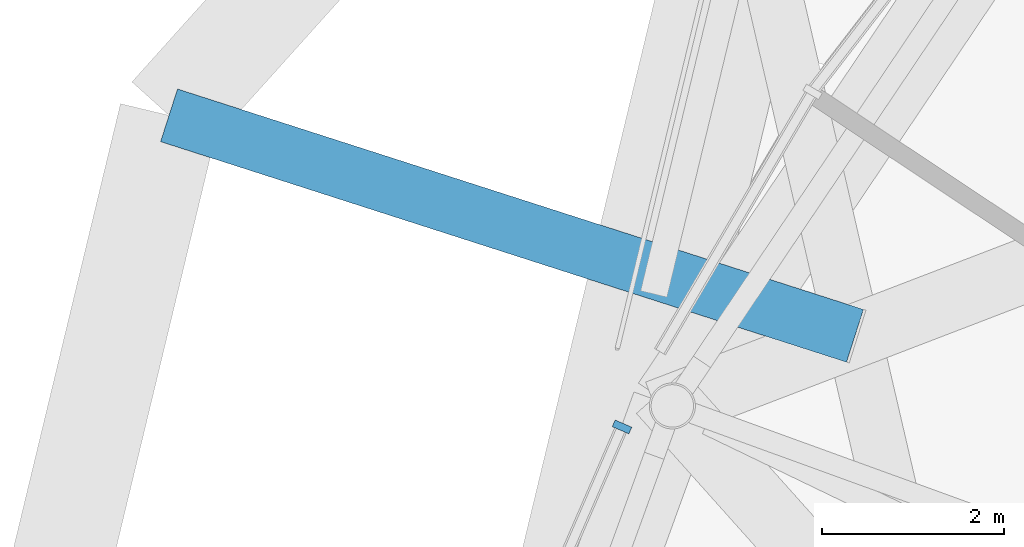
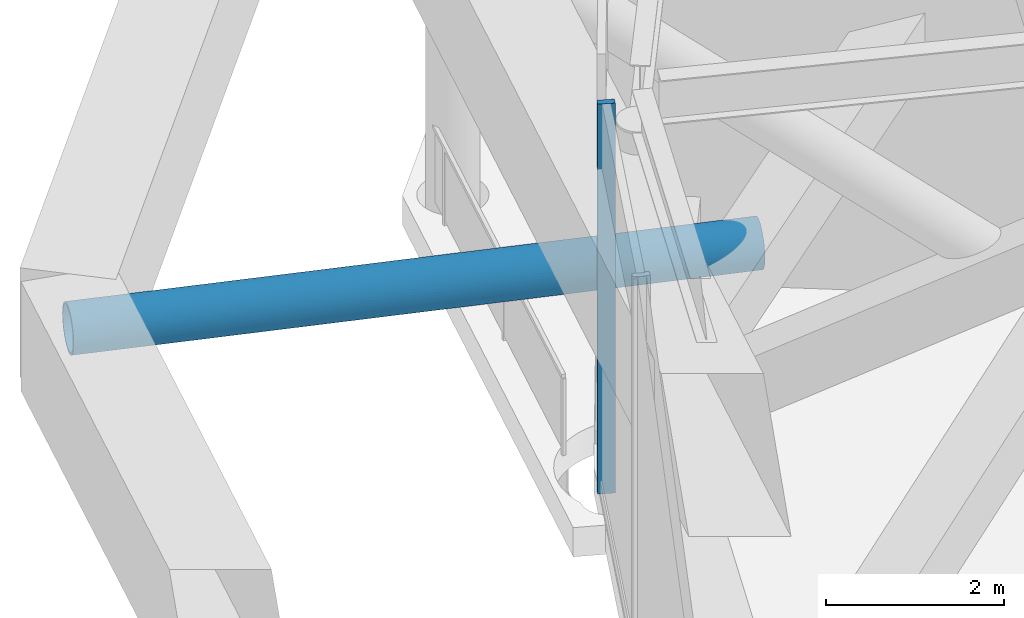
# One storey, part 27 of 49: 2 members, 1 element without a shape of its own.
"""IFC4 building model written with IfcOpenShell, lengths in metres."""

from ifc_helpers import new_model, si_unit, direction, frame, origin, origin_2d, place, context, subcontext, project, spatial, rectangle, hollow_circle, extrude, material, layer, layer_set, material_profile, profile_set, type_object, element, aggregate, save


model = new_model("IFC4")

# Units and contexts
model_context = context("Model", 3, precision=1e-05, world=origin(), true_north=direction((0.0, 1.0)))
body_context = subcontext(model_context, "Body", "Model", "MODEL_VIEW")
ifc_project = project(units=[si_unit("LENGTHUNIT", "METRE"), si_unit("AREAUNIT", "SQUARE_METRE"), si_unit("VOLUMEUNIT", "CUBIC_METRE"), si_unit("PLANEANGLEUNIT", "RADIAN"), si_unit("MASSUNIT", "GRAM", prefix="KILO")], contexts=[model_context])

# Site, building, storey
site_placement = place(None, origin())
site = spatial("IfcSite", under=ifc_project, at=site_placement, CompositionType="ELEMENT")
building_placement = place(site_placement, origin())
building = spatial("IfcBuilding", under=site, at=building_placement, Name="Nagisa Residences", CompositionType="ELEMENT")
storey_placement = place(building_placement, frame((0.0, 0.0, 160.300048828125)))
storey = spatial("IfcBuildingStorey", under=building, at=storey_placement, Name="L40", CompositionType="ELEMENT", Elevation=160.300048828125)

# Curtain wall, member
ifc_material_1 = material(Name="Aluminium curtain wall system", Category="aluminium")
ifc_layer = layer(ifc_material_1, 0.159912109375)
ifc_layer_set = layer_set([ifc_layer], Name="CW2 CURTAIN WALL")
curtain_wall_type = type_object("IfcCurtainWallType", Name="CW2 CURTAIN WALL", PredefinedType="NOTDEFINED", material=ifc_layer_set)
curtain_wall_placement = place(storey_placement, origin())
curtain_wall = element("IfcCurtainWall", 1, at=curtain_wall_placement, inside=storey, type_object=curtain_wall_type, Name="cw:CW2:L40:20", PredefinedType="NOTDEFINED")
ifc_material_2 = material(Name="Aluminium", Category="aluminium")
ifc_material_profile_1 = material_profile(ifc_material_2, rectangle(XDim=0.199951171875, YDim=0.080078125, at=origin_2d()), Name="CW2 MULLION 200x80")
ifc_profile_set_1 = profile_set([ifc_material_profile_1], Name="Aluminium")
member_type_1 = type_object("IfcMemberType", Name="CW2 MULLION 200x80", PredefinedType="MULLION", material=ifc_profile_set_1)
member_1_placement = place(storey_placement, frame((-24.9013671875, 11.498291015625, 0.0), z_axis=(0.0, 0.0, 1.0), x_axis=(0.917543276295, -0.397635934147, 0.0)))
member_1 = element("IfcMember", 2, at=member_1_placement, type_object=member_type_1, Name="CW2 mullion", PredefinedType="MULLION", context=body_context, shape_type="SweptSolid", body=[
    extrude(rectangle(XDim=0.199951171875, YDim=0.080078125, at=origin_2d()), origin(), (0.0, 0.0, 1.0), 5.33984375),
])
aggregate(curtain_wall, [member_1])

# Member
ifc_material_3 = material(Name="Steel ASTM A572 Gr 65", Category="steel")
ifc_material_profile_2 = material_profile(ifc_material_3, hollow_circle(Radius=0.304931640625, WallThickness=0.02490234375, at=origin_2d()), Name="CHS 610x25")
ifc_profile_set_2 = profile_set([ifc_material_profile_2], Name="Steel ASTM A572 Gr 65")
member_type_2 = type_object("IfcMemberType", Name="Cage strut CHS 610x25", PredefinedType="STRUT", material=ifc_profile_set_2)
member_2_placement = place(storey_placement, frame((-29.8896484375, 14.9296875, 1.89990234375), z_axis=(0.952019596708, -0.306037068806, 0.0), x_axis=(0.306037068806, 0.952019596708, 0.0)))
element("IfcMember", 3, at=member_2_placement, inside=storey, type_object=member_type_2, Name="mem:L40:bt3st3a06", PredefinedType="STRUT", context=body_context, shape_type="SweptSolid", body=[
    extrude(hollow_circle(Radius=0.304931640625, WallThickness=0.02490234375, at=origin_2d()), origin(), (0.0, 0.0, 1.0), 7.934326171875),
])

save(model, "model.ifc")
